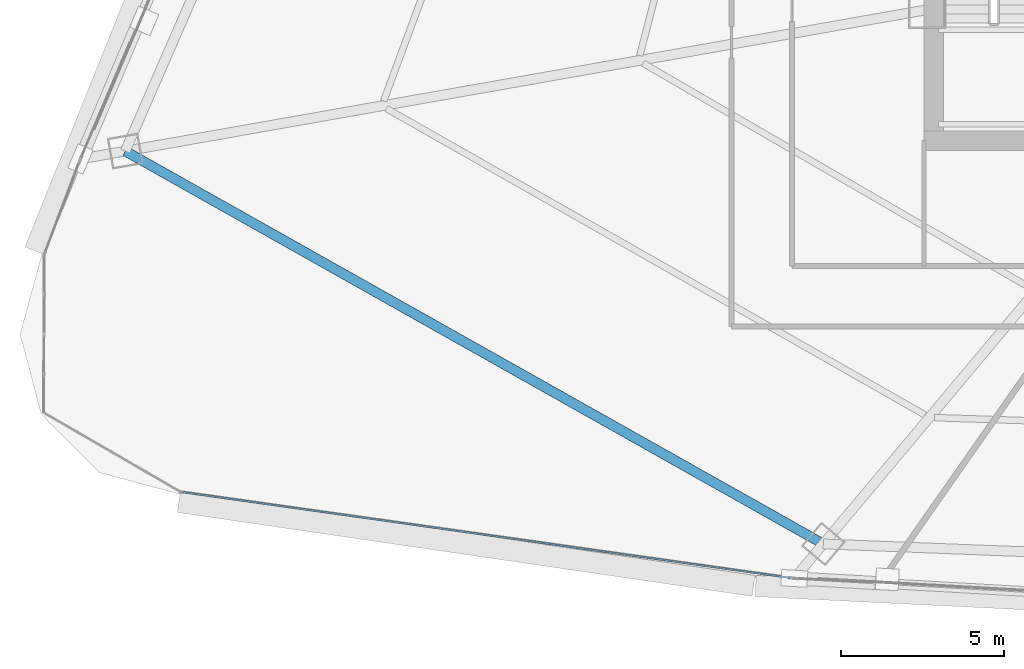
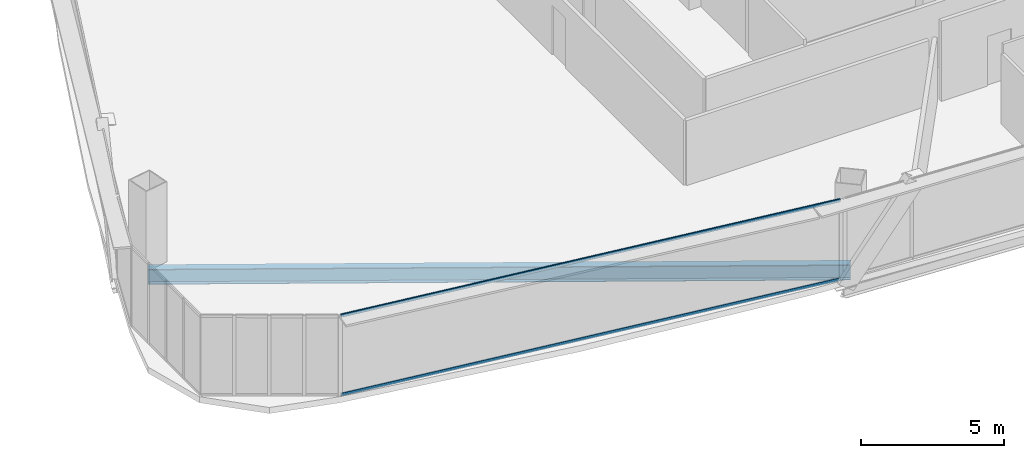
# One storey, part 3 of 40: 2 members, 1 beam, 1 element without a shape of its own.
"""IFC4 building model written with IfcOpenShell, lengths in metres."""

import ifcopenshell
import ifcopenshell.guid

model = None  # the IFC model being written
_history = None  # IfcOwnerHistory: only IFC2X3 demands one
_inside = {}  # id of a spatial element -> (the spatial element, [elements in it])
_under = {}  # id of a project, library or spatial element -> (it, [spatial elements below it])
_declared = {}  # id of a project -> (the project, [libraries it declares])
_typed = {}  # id of a type object -> (the type object, [elements of that type])
_made_of = {}  # id of a material, layer set ... -> (it, [elements and type objects made of it])


def new_model(schema):
    """Start an empty IFC model of exactly this schema.

    Asked for "IFC4X3", IfcOpenShell would pick the latest addendum, in which some entities
    have other attributes; the version numbers below select the first issue.
    IFC2X3 requires an IfcOwnerHistory on every rooted entity: one is made here for all.
    """
    global model, _history
    if schema == "IFC4X3":
        model = ifcopenshell.file(schema_version=(4, 3, 0, 0))
    else:
        model = ifcopenshell.file(schema=schema)
    _inside.clear()
    _under.clear()
    _declared.clear()
    _typed.clear()
    _made_of.clear()
    _history = None
    if model.schema == "IFC2X3":
        org = make("IfcOrganization", Name="unknown")
        user = make(
            "IfcPersonAndOrganization",
            ThePerson=make("IfcPerson", FamilyName="unknown"),
            TheOrganization=org,
        )
        app = make(
            "IfcApplication",
            ApplicationDeveloper=org,
            Version="unknown",
            ApplicationFullName="unknown",
            ApplicationIdentifier="unknown",
        )
        _history = make(
            "IfcOwnerHistory",
            OwningUser=user,
            OwningApplication=app,
            ChangeAction="ADDED",
            CreationDate=0,
        )
    return model


def make(cls, **values):
    """One entity of the class cls with the attributes given. An attribute that is None is left unset."""
    return model.create_entity(
        cls, **{name: value for name, value in values.items() if value is not None}
    )


def rooted(cls, **values):
    """An entity with a GlobalId (a new one), such as an element, a storey or a relation."""
    return make(cls, GlobalId=ifcopenshell.guid.new(), OwnerHistory=_history, **values)


def si_unit(unit_type, name, prefix=None):
    """IfcSIUnit, for example si_unit("LENGTHUNIT", "METRE", prefix="MILLI")."""
    return make("IfcSIUnit", UnitType=unit_type, Prefix=prefix, Name=name)


def assignment(units):
    """IfcUnitAssignment: the units of a project."""
    return None if units is None else make("IfcUnitAssignment", Units=units)


def point(xyz):
    """IfcCartesianPoint."""
    return None if xyz is None else make("IfcCartesianPoint", Coordinates=xyz)


def direction(xyz):
    """IfcDirection."""
    return None if xyz is None else make("IfcDirection", DirectionRatios=xyz)


def frame(location, z_axis=None, x_axis=None):
    """IfcAxis2Placement3D, a coordinate frame: its origin and axes. An axis left out is left unset."""
    return make(
        "IfcAxis2Placement3D",
        Location=point(location),
        Axis=direction(z_axis),
        RefDirection=direction(x_axis),
    )


def frame_2d(location, x_axis=None):
    """IfcAxis2Placement2D, a coordinate frame in the plane: its origin and x axis."""
    return make(
        "IfcAxis2Placement2D", Location=point(location), RefDirection=direction(x_axis)
    )


def origin():
    """The frame at (0, 0, 0) with its axes left unset."""
    return frame((0.0, 0.0, 0.0))


def origin_2d():
    """The frame at (0, 0) in the plane with its x axis left unset."""
    return frame_2d((0.0, 0.0))


def place(relative_to, where):
    """IfcLocalPlacement: puts the frame where relative to a parent placement (None: the world)."""
    return make(
        "IfcLocalPlacement", PlacementRelTo=relative_to, RelativePlacement=where
    )


def context(
    kind, dimensions, precision=None, world=None, true_north=None, identifier=None
):
    """IfcGeometricRepresentationContext, for example the 3D "Model" context."""
    return make(
        "IfcGeometricRepresentationContext",
        ContextIdentifier=identifier,
        ContextType=kind,
        CoordinateSpaceDimension=dimensions,
        Precision=precision,
        WorldCoordinateSystem=world,
        TrueNorth=true_north,
    )


def subcontext(parent, identifier, kind, view, scale=None):
    """IfcGeometricRepresentationSubContext, for example "Body" below "Model"."""
    return make(
        "IfcGeometricRepresentationSubContext",
        ContextIdentifier=identifier,
        ContextType=kind,
        ParentContext=parent,
        TargetScale=scale,
        TargetView=view,
    )


def project(units=None, contexts=None):
    """IfcProject with its units and contexts."""
    return rooted(
        "IfcProject",
        Name="project",
        RepresentationContexts=contexts,
        UnitsInContext=assignment(units),
    )


def spatial(cls, under=None, at=None, **own):
    """A site, building, storey or space (cls), placed at a placement, below another one or the project."""
    s = rooted(cls, ObjectPlacement=at, **own)
    if under is not None:
        _under.setdefault(under.id(), (under, []))[1].append(s)
    return s


def profile(cls, at=None, kind="AREA", **sizes):
    """A parametric profile (cls). Its sizes go by their IFC names, for example OverallWidth=200.0."""
    return make(cls, ProfileType=kind, Position=at, **sizes)


def hollow_rectangle(**sizes):
    """IfcRectangleHollowProfileDef."""
    return profile("IfcRectangleHollowProfileDef", **sizes)


def i_section(**sizes):
    """IfcIShapeProfileDef."""
    return profile("IfcIShapeProfileDef", **sizes)


def extrude(swept, where, along, depth):
    """IfcExtrudedAreaSolid: the profile swept, set in the frame where, extruded along a direction by depth."""
    return make(
        "IfcExtrudedAreaSolid",
        SweptArea=swept,
        Position=where,
        ExtrudedDirection=direction(along),
        Depth=depth,
    )


def shape(context_of_items, identifier, shape_type, items):
    """IfcShapeRepresentation: the items that make up one representation, for example the "Body"."""
    return make(
        "IfcShapeRepresentation",
        ContextOfItems=context_of_items,
        RepresentationIdentifier=identifier,
        RepresentationType=shape_type,
        Items=items,
    )


def source(mapping_origin, context_of_items, identifier, shape_type, items):
    """IfcRepresentationMap: a shape defined once, which mapped items show again and again."""
    return make(
        "IfcRepresentationMap",
        MappingOrigin=mapping_origin,
        MappedRepresentation=shape(context_of_items, identifier, shape_type, items),
    )


def transform(
    local_origin,
    x_axis=None,
    y_axis=None,
    z_axis=None,
    scale=None,
    scale2=None,
    scale3=None,
    uniform=True,
):
    """IfcCartesianTransformationOperator3D, or its non-uniform kind. x_axis, y_axis, z_axis: its Axis1, 2, 3."""
    if uniform:
        return make(
            "IfcCartesianTransformationOperator3D",
            Axis1=direction(x_axis),
            Axis2=direction(y_axis),
            LocalOrigin=point(local_origin),
            Scale=scale,
            Axis3=direction(z_axis),
        )
    return make(
        "IfcCartesianTransformationOperator3DnonUniform",
        Axis1=direction(x_axis),
        Axis2=direction(y_axis),
        LocalOrigin=point(local_origin),
        Scale=scale,
        Axis3=direction(z_axis),
        Scale2=scale2,
        Scale3=scale3,
    )


def mapped(mapping_source, mapping_target):
    """IfcMappedItem: shows the shape of a source again, moved by a transform."""
    return make(
        "IfcMappedItem", MappingSource=mapping_source, MappingTarget=mapping_target
    )


def material(Name=None, Category=None):
    """IfcMaterial."""
    return make("IfcMaterial", Name=Name, Category=Category)


def layer(
    of_material, thickness, ventilated=None, Name=None, Category=None, Priority=None
):
    """IfcMaterialLayer: one layer of a wall or slab, of a material (None: an air gap)."""
    return make(
        "IfcMaterialLayer",
        Material=of_material,
        LayerThickness=thickness,
        IsVentilated=ventilated,
        Name=Name,
        Category=Category,
        Priority=Priority,
    )


def layer_set(layers, Name=None):
    """IfcMaterialLayerSet."""
    return make("IfcMaterialLayerSet", MaterialLayers=layers, LayerSetName=Name)


def material_profile(
    of_material, cross_section, Name=None, Category=None, Priority=None
):
    """IfcMaterialProfile: a cross section and its material."""
    return make(
        "IfcMaterialProfile",
        Name=Name,
        Material=of_material,
        Profile=cross_section,
        Priority=Priority,
        Category=Category,
    )


def profile_set(profiles, Name=None, composite=None):
    """IfcMaterialProfileSet."""
    return make(
        "IfcMaterialProfileSet",
        Name=Name,
        MaterialProfiles=profiles,
        CompositeProfile=composite,
    )


def made_of(thing, what):
    """Note that an element or type object is made of a material, layer set ...; save() writes the relation."""
    if what is not None:
        _made_of.setdefault(what.id(), (what, []))[1].append(thing)
    return thing


def type_object(cls, material=None, **own):
    """A type object (cls), such as IfcWallType, which elements share."""
    return made_of(rooted(cls, **own), material)


def element(
    cls,
    number,
    at=None,
    inside=None,
    cuts=None,
    type_object=None,
    material=None,
    context=None,
    identifier="Body",
    shape_type=None,
    held_by="IfcProductDefinitionShape",
    body=None,
    shapes=None,
    **own,
):
    """One element of the class cls, such as IfcWall. Its Tag is "e" and its number.

    at: its placement. inside: the storey or other place that contains it. cuts: it is an
    opening in that element (IfcRelVoidsElement). A single representation is given by context,
    identifier, shape_type and body (its items); several are given by shapes. held_by: the class
    of the entity that holds the representations. save() writes the other relations.
    """
    e = rooted(cls, Tag="e%d" % number, ObjectPlacement=at, **own)
    if body is not None:
        shapes = [shape(context, identifier, shape_type, body)]
    if shapes is not None:
        e.Representation = make(held_by, Representations=shapes)
    if inside is not None:
        _inside.setdefault(inside.id(), (inside, []))[1].append(e)
    if cuts is not None:
        rooted(
            "IfcRelVoidsElement", RelatingBuildingElement=cuts, RelatedOpeningElement=e
        )
    if type_object is not None:
        _typed.setdefault(type_object.id(), (type_object, []))[1].append(e)
    return made_of(e, material)


def aggregate(whole, parts):
    """IfcRelAggregates: a whole, such as a stair, and the parts it consists of."""
    return rooted("IfcRelAggregates", RelatingObject=whole, RelatedObjects=parts)


def save(model, path):
    """Write the relations noted so far, then the file.

    IfcRelAggregates (storeys below a building ...), IfcRelContainedInSpatialStructure (elements
    in a storey), IfcRelDefinesByType, IfcRelAssociatesMaterial and IfcRelDeclares: one each for
    every whole, place, type object, material and project.
    """
    for whole, parts in _under.values():
        aggregate(whole, parts)
    for where, things in _inside.values():
        rooted(
            "IfcRelContainedInSpatialStructure",
            RelatedElements=things,
            RelatingStructure=where,
        )
    for kind, things in _typed.values():
        rooted("IfcRelDefinesByType", RelatedObjects=things, RelatingType=kind)
    for what, things in _made_of.values():
        rooted("IfcRelAssociatesMaterial", RelatedObjects=things, RelatingMaterial=what)
    for by, libraries in _declared.values():
        rooted("IfcRelDeclares", RelatingContext=by, RelatedDefinitions=libraries)
    model.write(path)


model = new_model("IFC4")

# Units and contexts
model_context = context("Model", 3, precision=1e-05, world=origin(), true_north=direction((0.0, 1.0)))
body_context = subcontext(model_context, "Body", "Model", "MODEL_VIEW")
ifc_project = project(units=[si_unit("LENGTHUNIT", "METRE"), si_unit("AREAUNIT", "SQUARE_METRE"), si_unit("VOLUMEUNIT", "CUBIC_METRE"), si_unit("PLANEANGLEUNIT", "RADIAN"), si_unit("MASSUNIT", "GRAM", prefix="KILO"), si_unit("THERMODYNAMICTEMPERATUREUNIT", "KELVIN"), si_unit("POWERUNIT", "WATT")], contexts=[model_context])

# Site, building, storey
site_placement = place(None, origin())
site = spatial("IfcSite", under=ifc_project, at=site_placement, CompositionType="ELEMENT")
building_placement = place(site_placement, origin())
building = spatial("IfcBuilding", under=site, at=building_placement, Name="Yunzhuo Pagoda Commons", CompositionType="ELEMENT")
storey_placement = place(building_placement, frame((0.0, 0.0, 159.27001953125)))
storey = spatial("IfcBuildingStorey", under=building, at=storey_placement, Name="L40", CompositionType="ELEMENT", Elevation=159.27001953125)

# Beam
ifc_material_1 = material(Name="Structural steel Q355B", Category="steel")
ifc_material_profile_1 = material_profile(ifc_material_1, i_section(OverallWidth=0.300048828125, OverallDepth=0.64990234375, WebThickness=0.012939453125, FlangeThickness=0.02197265625, at=origin_2d()), Name="Structural steel Q355B")
ifc_profile_set_1 = profile_set([ifc_material_profile_1], Name="Structural steel Q355B")
beam_type = type_object("IfcBeamType", Name="B-RG2 Beam HN 650x300x13x22", PredefinedType="BEAM", material=ifc_profile_set_1)
shared_shape_1 = source(origin(), body_context, "Body", "SweptSolid", [
    extrude(i_section(OverallWidth=0.300048828125, OverallDepth=0.64990234375, WebThickness=0.012939453125, FlangeThickness=0.02197265625, at=origin_2d()), origin(), (0.0, 0.0, 1.0), 24.56982421875),
])
beam_placement = place(storey_placement, frame((11.0029296875, 27.176513671875, -0.5849609375), z_axis=(0.871469103633, -0.490450406681, 0.0), x_axis=(0.490450406681, 0.871469103633, 0.0)))
element("IfcBeam", 1, at=beam_placement, inside=storey, type_object=beam_type, Name="L40 column-ring beam 12", PredefinedType="BEAM", context=body_context, shape_type="MappedRepresentation", body=[
    mapped(shared_shape_1, transform((0.0, 0.0, 0.0), scale=1.0)),
])

# Curtain wall, members
ifc_material_2 = material(Name="Anodized aluminium 6063-T6", Category="aluminium")
ifc_layer = layer(ifc_material_2, 0.14990234375)
ifc_layer_set = layer_set([ifc_layer], Name="Anodized aluminium 6063-T6")
curtain_wall_type = type_object("IfcCurtainWallType", Name="CW-MID Mid-Zone Ribbon Curtain Wall", PredefinedType="NOTDEFINED", material=ifc_layer_set)
curtain_wall_placement = place(storey_placement, origin())
curtain_wall = element("IfcCurtainWall", 2, at=curtain_wall_placement, inside=storey, type_object=curtain_wall_type, Name="L40 curtain wall CW-L40-F1B1", PredefinedType="NOTDEFINED")
ifc_material_profile_2 = material_profile(ifc_material_2, hollow_rectangle(XDim=0.054931640625, YDim=0.1298828125, WallThickness=0.00341796875, at=origin_2d()), Name="Anodized aluminium 6063-T6")
ifc_profile_set_2 = profile_set([ifc_material_profile_2], Name="Anodized aluminium 6063-T6")
member_type = type_object("IfcMemberType", Name="CW-MID-T Transom RHS 130x55x3.5", PredefinedType="USERDEFINED", material=ifc_profile_set_2)
shared_shape_2 = source(origin(), body_context, "Body", "SweptSolid", [
    extrude(hollow_rectangle(XDim=0.054931640625, YDim=0.1298828125, WallThickness=0.00341796875, at=origin_2d()), origin(), (0.0, 0.0, 1.0), 18.81640625),
])
member_1_placement = place(storey_placement, frame((12.761474609375, 16.71484375, 0.027587890625), z_axis=(0.990202969185, -0.139635524908, 0.0), x_axis=(0.139635524908, 0.990202969185, 0.0)))
member_1 = element("IfcMember", 3, at=member_1_placement, type_object=member_type, Name="CW transom 1.1", ObjectType="TRANSOM", PredefinedType="USERDEFINED", context=body_context, shape_type="MappedRepresentation", body=[
    mapped(shared_shape_2, transform((0.0, 0.0, 0.0), scale=1.0)),
])
member_2_placement = place(storey_placement, frame((12.761474609375, 16.71484375, 3.392578125), z_axis=(0.990202969185, -0.139635524908, 0.0), x_axis=(0.139635524908, 0.990202969185, 0.0)))
member_2 = element("IfcMember", 4, at=member_2_placement, type_object=member_type, Name="CW transom 1.2", ObjectType="TRANSOM", PredefinedType="USERDEFINED", context=body_context, shape_type="MappedRepresentation", body=[
    mapped(shared_shape_2, transform((0.0, 0.0, 0.0), scale=1.0)),
])
aggregate(curtain_wall, [member_1, member_2])

save(model, "model.ifc")
